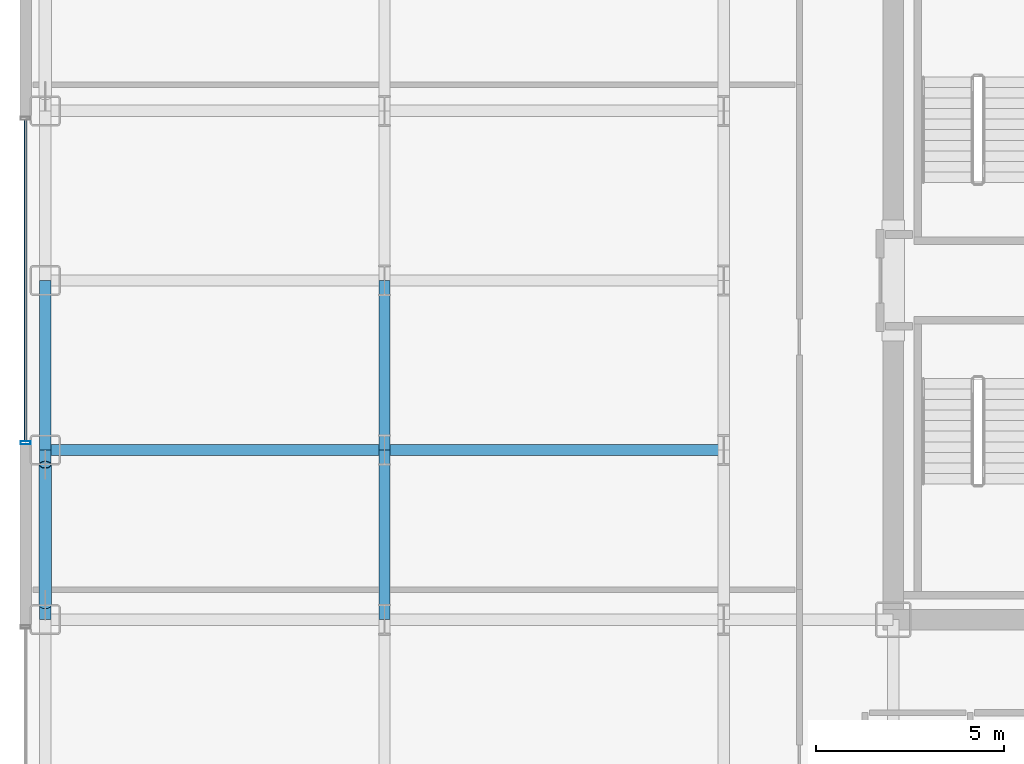
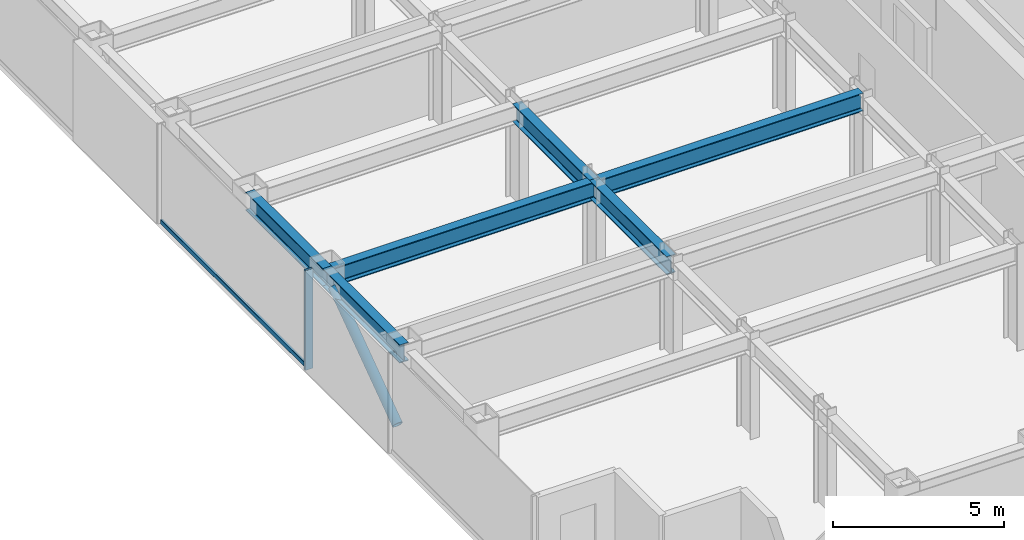
# One storey, part 6 of 27: 6 beams, 3 members, 1 element without a shape of its own.
"""IFC4 building model written with IfcOpenShell, lengths in metres."""

from ifc_helpers import new_model, si_unit, direction, frame, origin, origin_2d, place, context, subcontext, project, spatial, hollow_rectangle, hollow_circle, i_section, extrude, source, transform, mapped, material, layer, layer_set, material_profile, profile_set, type_object, element, aggregate, save


model = new_model("IFC4")

# Units and contexts
model_context = context("Model", 3, precision=1e-05, world=origin(), true_north=direction((0.0, 1.0)))
body_context = subcontext(model_context, "Body", "Model", "MODEL_VIEW")
ifc_project = project(units=[si_unit("LENGTHUNIT", "METRE"), si_unit("AREAUNIT", "SQUARE_METRE"), si_unit("VOLUMEUNIT", "CUBIC_METRE"), si_unit("PLANEANGLEUNIT", "RADIAN"), si_unit("MASSUNIT", "GRAM", prefix="KILO")], contexts=[model_context])

# Site, building, storey
site_placement = place(None, origin())
site = spatial("IfcSite", under=ifc_project, at=site_placement, CompositionType="ELEMENT")
building_placement = place(site_placement, origin())
building = spatial("IfcBuilding", under=site, at=building_placement, Name="Nefas-Gora Pilgrimage Tower", CompositionType="ELEMENT")
storey_placement = place(building_placement, frame((0.0, 0.0, 148.800048828125)))
storey = spatial("IfcBuildingStorey", under=building, at=storey_placement, Name="L36", CompositionType="ELEMENT", Elevation=148.800048828125)

# Beams
ifc_material_1 = material(Name="Steel S355", Category="steel")
ifc_material_profile_1 = material_profile(ifc_material_1, i_section(OverallWidth=0.300048828125, OverallDepth=0.64990234375, WebThickness=0.01611328125, FlangeThickness=0.031005859375, FilletRadius=0.027099609375, at=origin_2d()), Name="HEB 650")
ifc_profile_set_1 = profile_set([ifc_material_profile_1], Name="Steel S355")
beam_type_1 = type_object("IfcBeamType", Name="BM-SPN-HEB500", PredefinedType="SPANDREL", material=ifc_profile_set_1)
shared_shape_1 = source(origin(), body_context, "Body", "SweptSolid", [
    extrude(i_section(OverallWidth=0.300048828125, OverallDepth=0.64990234375, WebThickness=0.01611328125, FlangeThickness=0.031005859375, FilletRadius=0.027099609375, at=origin_2d()), origin(), (0.0, 0.0, 1.0), 4.5),
])
for number, where, z_axis, x_axis, name in (
    (1, (-33.75, -9.0, 3.224853515625), (0.0, 1.0, 0.0), (-1.0, 0.0, 0.0), "L36 SP-02 beam"),
    (2, (-33.75, -4.5, 3.224853515625), (0.0, 1.0, 0.0), (-1.0, 0.0, 0.0), "L36 SP-02 beam"),
):
    element("IfcBeam", number, at=place(storey_placement, frame(where, z_axis=z_axis, x_axis=x_axis)), inside=storey, type_object=beam_type_1, Name=name, PredefinedType="SPANDREL", context=body_context, shape_type="MappedRepresentation", body=[
        mapped(shared_shape_1, transform((0.0, 0.0, 0.0), x_axis=(1.0, 0.0, 0.0), y_axis=(0.0, 1.0, 0.0), z_axis=(0.0, 0.0, 1.0), scale=1.0)),
    ])
ifc_material_profile_2 = material_profile(ifc_material_1, i_section(OverallWidth=0.300048828125, OverallDepth=0.64990234375, WebThickness=0.01611328125, FlangeThickness=0.031005859375, FilletRadius=0.027099609375, at=origin_2d()), Name="HEB 650")
ifc_profile_set_2 = profile_set([ifc_material_profile_2], Name="Steel S355")
beam_type_2 = type_object("IfcBeamType", Name="BM-GIR-HEB650", PredefinedType="BEAM", material=ifc_profile_set_2)
shared_shape_2 = source(origin(), body_context, "Body", "SweptSolid", [
    extrude(i_section(OverallWidth=0.300048828125, OverallDepth=0.64990234375, WebThickness=0.01611328125, FlangeThickness=0.031005859375, FilletRadius=0.027099609375, at=origin_2d()), origin(), (0.0, 0.0, 1.0), 9.0),
])
for number, where, z_axis, x_axis, name in (
    (3, (-33.75, -4.5, 3.224853515625), (1.0, 0.0, 0.0), (0.0, 1.0, 0.0), "L36 G-03 beam"),
    (4, (-24.75, -4.5, 3.224853515625), (1.0, 0.0, 0.0), (0.0, 1.0, 0.0), "L36 G-03 beam"),
):
    element("IfcBeam", number, at=place(storey_placement, frame(where, z_axis=z_axis, x_axis=x_axis)), inside=storey, type_object=beam_type_2, Name=name, PredefinedType="BEAM", context=body_context, shape_type="MappedRepresentation", body=[
        mapped(shared_shape_2, transform((0.0, 0.0, 0.0), x_axis=(1.0, 0.0, 0.0), y_axis=(0.0, 1.0, 0.0), z_axis=(0.0, 0.0, 1.0), scale=1.0)),
    ])
shared_shape_3 = source(origin(), body_context, "Body", "SweptSolid", [
    extrude(i_section(OverallWidth=0.300048828125, OverallDepth=0.64990234375, WebThickness=0.01611328125, FlangeThickness=0.031005859375, FilletRadius=0.027099609375, at=origin_2d()), origin(), (0.0, 0.0, 1.0), 4.5),
])
for number, where, z_axis, x_axis, name in (
    (5, (-24.75, -9.0, 3.224853515625), (0.0, 1.0, 0.0), (-1.0, 0.0, 0.0), "L36 G-03 beam"),
    (6, (-24.75, -4.5, 3.224853515625), (0.0, 1.0, 0.0), (-1.0, 0.0, 0.0), "L36 G-03 beam"),
):
    element("IfcBeam", number, at=place(storey_placement, frame(where, z_axis=z_axis, x_axis=x_axis)), inside=storey, type_object=beam_type_2, Name=name, PredefinedType="BEAM", context=body_context, shape_type="MappedRepresentation", body=[
        mapped(shared_shape_3, transform((0.0, 0.0, 0.0), x_axis=(1.0, 0.0, 0.0), y_axis=(0.0, 1.0, 0.0), z_axis=(0.0, 0.0, 1.0), scale=1.0)),
    ])

# Member
ifc_material_profile_3 = material_profile(ifc_material_1, hollow_circle(Radius=0.161865234375, WallThickness=0.02001953125, at=origin_2d()), Name="CHS 323.9x20")
ifc_profile_set_3 = profile_set([ifc_material_profile_3], Name="Steel S355")
member_type_1 = type_object("IfcMemberType", Name="MEM-TUBE-324", PredefinedType="BRACE", material=ifc_profile_set_3)
shared_shape_4 = source(origin(), body_context, "Body", "SweptSolid", [
    extrude(hollow_circle(Radius=0.161865234375, WallThickness=0.02001953125, at=origin_2d()), origin(), (0.0, 0.0, 1.0), 4.579345703125),
])
member_1_placement = place(storey_placement, frame((-33.75, -8.612060546875, 0.427490234375), z_axis=(0.0, 0.813246879171, 0.581918820385), x_axis=(-1.0, 0.0, 0.0)))
element("IfcMember", 7, at=member_1_placement, inside=storey, type_object=member_type_1, Name="L36 Perimeter Tube Diagonal Brace W1", PredefinedType="BRACE", context=body_context, shape_type="MappedRepresentation", body=[
    mapped(shared_shape_4, transform((0.0, 0.0, 0.0), x_axis=(1.0, 0.0, 0.0), y_axis=(0.0, 1.0, 0.0), z_axis=(0.0, 0.0, 1.0), scale=1.0)),
])

# Curtain wall, members
ifc_material_2 = material(Name="Dark ceramic-fritted solar-control aluminium-glass curtain wall", Category="aluminium")
ifc_layer = layer(ifc_material_2, 0.219970703125)
ifc_layer_set = layer_set([ifc_layer], Name="Dark ceramic-fritted solar-control aluminium-glass curtain wall")
curtain_wall_type = type_object("IfcCurtainWallType", Name="CW-SYS-3", PredefinedType="NOTDEFINED", material=ifc_layer_set)
curtain_wall_placement = place(storey_placement, origin())
curtain_wall = element("IfcCurtainWall", 8, at=curtain_wall_placement, inside=storey, type_object=curtain_wall_type, Name="L36 Unitised Curtain Wall CW3", PredefinedType="NOTDEFINED")
ifc_material_3 = material(Name="Anodised architectural aluminium", Category="aluminium")
ifc_material_profile_4 = material_profile(ifc_material_3, hollow_rectangle(XDim=0.090087890625, YDim=0.260009765625, WallThickness=0.006103515625, InnerFilletRadius=0.006103515625, OuterFilletRadius=0.011962890625, at=origin_2d()), Name="ALU MULLION 90x260")
ifc_profile_set_4 = profile_set([ifc_material_profile_4], Name="Anodised architectural aluminium")
member_type_2 = type_object("IfcMemberType", Name="CWM-MUL-3", PredefinedType="MULLION", material=ifc_profile_set_4)
shared_shape_5 = source(origin(), body_context, "Body", "SweptSolid", [
    extrude(hollow_rectangle(XDim=0.090087890625, YDim=0.260009765625, WallThickness=0.006103515625, InnerFilletRadius=0.006103515625, OuterFilletRadius=0.011962890625, at=origin_2d()), origin(), (0.0, 0.0, 1.0), 3.550048828125),
])
member_2_placement = place(storey_placement, frame((-34.27001953125, -4.304931640625, 0.0), z_axis=(0.0, 0.0, 1.0), x_axis=(0.0, -1.0, 0.0)))
member_2 = element("IfcMember", 9, at=member_2_placement, type_object=member_type_2, Name="CW3 Mullion 2", PredefinedType="MULLION", context=body_context, shape_type="MappedRepresentation", body=[
    mapped(shared_shape_5, transform((0.0, 0.0, 0.0), x_axis=(1.0, 0.0, 0.0), y_axis=(0.0, 1.0, 0.0), z_axis=(0.0, 0.0, 1.0), scale=1.0)),
])
ifc_material_profile_5 = material_profile(ifc_material_3, hollow_rectangle(XDim=0.080078125, YDim=0.159912109375, WallThickness=0.00439453125, InnerFilletRadius=0.00439453125, OuterFilletRadius=0.009033203125, at=origin_2d()), Name="ALU TRANSOM 80x160")
ifc_profile_set_5 = profile_set([ifc_material_profile_5], Name="Anodised architectural aluminium")
member_type_3 = type_object("IfcMemberType", Name="CWM-TRN-3", PredefinedType="USERDEFINED", material=ifc_profile_set_5)
shared_shape_6 = source(origin(), body_context, "Body", "SweptSolid", [
    extrude(hollow_rectangle(XDim=0.080078125, YDim=0.159912109375, WallThickness=0.00439453125, InnerFilletRadius=0.00439453125, OuterFilletRadius=0.009033203125, at=origin_2d()), origin(), (0.0, 0.0, 1.0), 8.52001953125),
])
member_3_placement = place(storey_placement, frame((-34.27001953125, 4.260009765625, 0.050048828125), z_axis=(0.0, -1.0, 0.0), x_axis=(1.0, 0.0, 0.0)))
member_3 = element("IfcMember", 10, at=member_3_placement, type_object=member_type_3, Name="CW3 Spandrel Transom", ObjectType="TRANSOM", PredefinedType="USERDEFINED", context=body_context, shape_type="MappedRepresentation", body=[
    mapped(shared_shape_6, transform((0.0, 0.0, 0.0), x_axis=(1.0, 0.0, 0.0), y_axis=(0.0, 1.0, 0.0), z_axis=(0.0, 0.0, 1.0), scale=1.0)),
])
aggregate(curtain_wall, [member_2, member_3])

save(model, "model.ifc")
